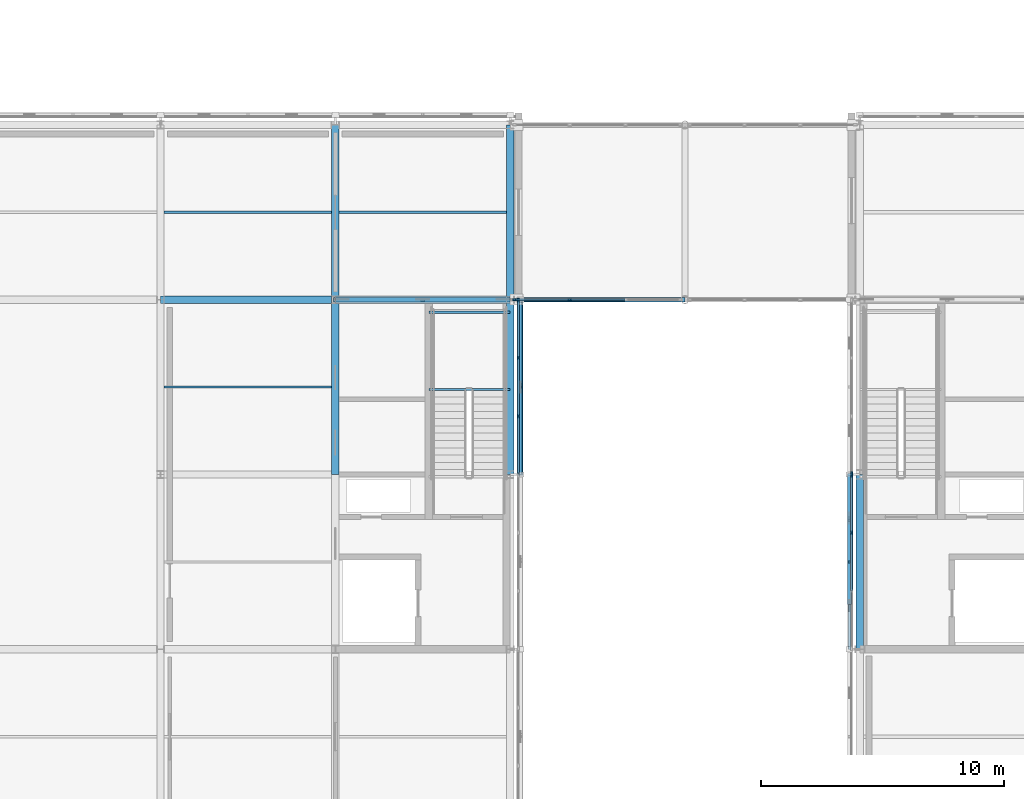
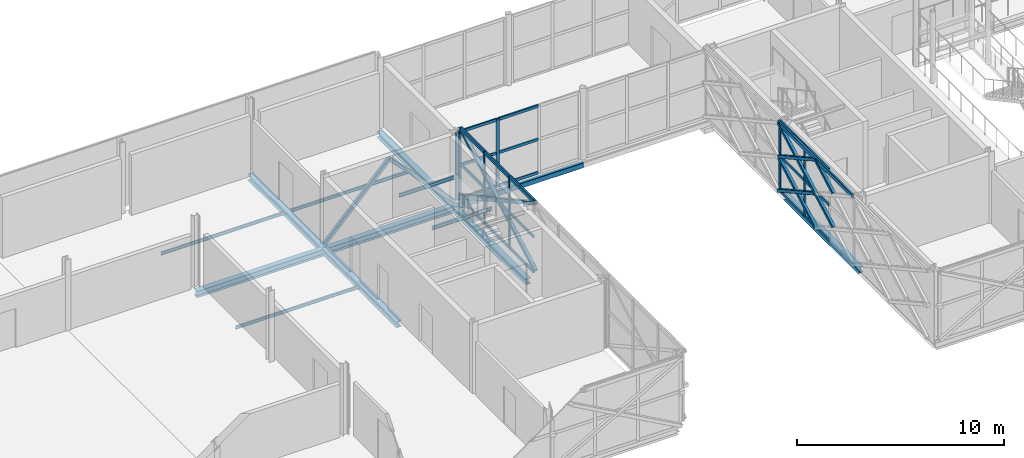
# One storey, part 30 of 146: 44 members, 13 beams, 4 elements without a shape of their own.
"""IFC4 building model written with IfcOpenShell, lengths in metres."""

from ifc_helpers import new_model, si_unit, direction, frame, origin, origin_2d, place, context, subcontext, project, spatial, rectangle, hollow_rectangle, i_section, extrude, material, material_profile, profile_set, type_object, element, aggregate, save


model = new_model("IFC4")

# Units and contexts
model_context = context("Model", 3, precision=1e-05, world=origin(), true_north=direction((0.0, 1.0)))
body_context = subcontext(model_context, "Body", "Model", "MODEL_VIEW")
ifc_project = project(units=[si_unit("LENGTHUNIT", "METRE"), si_unit("AREAUNIT", "SQUARE_METRE"), si_unit("VOLUMEUNIT", "CUBIC_METRE"), si_unit("PLANEANGLEUNIT", "RADIAN"), si_unit("MASSUNIT", "GRAM", prefix="KILO")], contexts=[model_context])

# Site, building, storey
site_placement = place(None, origin())
site = spatial("IfcSite", under=ifc_project, at=site_placement, CompositionType="ELEMENT")
building_placement = place(site_placement, origin())
building = spatial("IfcBuilding", under=site, at=building_placement, Name="Zlatovets Crest Museum", CompositionType="ELEMENT")
storey_placement = place(building_placement, frame((0.0, 0.0, 4.5)))
storey = spatial("IfcBuildingStorey", under=building, at=storey_placement, Name="L01", CompositionType="ELEMENT", Elevation=4.5)

# Beams
ifc_material_1 = material(Name="Structural steel S355J2", Category="steel")
ifc_material_profile_1 = material_profile(ifc_material_1, i_section(OverallWidth=0.300048828125, OverallDepth=0.389892578125, WebThickness=0.010986328125, FlangeThickness=0.01904296875, FilletRadius=0.027099609375, at=origin_2d()), Name="HEA 400")
ifc_profile_set_1 = profile_set([ifc_material_profile_1], Name="Structural steel S355J2")
beam_type_1 = type_object("IfcBeamType", Name="Beam_B-02", PredefinedType="BEAM", material=ifc_profile_set_1)
for number, where, z_axis, x_axis, name in (
    (1, (28.800048828125, 21.60009765625, -0.4150390625), (1.0, 0.0, 0.0), (0.0, 1.0, 0.0), "V3 L01 Primary Girder B-02"),
    (2, (36.0, 21.60009765625, -0.4150390625), (1.0, 0.0, 0.0), (0.0, 1.0, 0.0), "V3 L01 Primary Girder B-02"),
):
    element("IfcBeam", number, at=place(storey_placement, frame(where, z_axis=z_axis, x_axis=x_axis)), inside=storey, type_object=beam_type_1, Name=name, PredefinedType="BEAM", context=body_context, shape_type="SweptSolid", body=[
        extrude(i_section(OverallWidth=0.300048828125, OverallDepth=0.389892578125, WebThickness=0.010986328125, FlangeThickness=0.01904296875, FilletRadius=0.027099609375, at=origin_2d()), origin(), (0.0, 0.0, 1.0), 7.199951171875),
    ])
ifc_material_profile_2 = material_profile(ifc_material_1, i_section(OverallWidth=0.300048828125, OverallDepth=0.35009765625, WebThickness=0.010009765625, FlangeThickness=0.017578125, FilletRadius=0.027099609375, at=origin_2d()), Name="HEA 360")
ifc_profile_set_2 = profile_set([ifc_material_profile_2], Name="Structural steel S355J2")
beam_type_2 = type_object("IfcBeamType", Name="Beam_B-03", PredefinedType="BEAM", material=ifc_profile_set_2)
beam_1_placement = place(storey_placement, frame((57.60009765625, 7.199951171875, -0.39501953125), z_axis=(0.0, 1.0, 0.0), x_axis=(-1.0, 0.0, 0.0)))
element("IfcBeam", 3, at=beam_1_placement, inside=storey, type_object=beam_type_2, Name="V2 L01 Grid Beam B-03", PredefinedType="BEAM", context=body_context, shape_type="SweptSolid", body=[
    extrude(i_section(OverallWidth=0.300048828125, OverallDepth=0.35009765625, WebThickness=0.010009765625, FlangeThickness=0.017578125, FilletRadius=0.027099609375, at=origin_2d()), origin(), (0.0, 0.0, 1.0), 7.199951171875),
])
beam_2_placement = place(storey_placement, frame((36.0, 14.39990234375, -0.39501953125), z_axis=(0.0, 1.0, 0.0), x_axis=(-1.0, 0.0, 0.0)))
element("IfcBeam", 4, at=beam_2_placement, inside=storey, type_object=beam_type_2, Name="V3 L01 Grid Beam B-03", PredefinedType="BEAM", context=body_context, shape_type="SweptSolid", body=[
    extrude(i_section(OverallWidth=0.300048828125, OverallDepth=0.35009765625, WebThickness=0.010009765625, FlangeThickness=0.017578125, FilletRadius=0.027099609375, at=origin_2d()), origin(), (0.0, 0.0, 1.0), 7.2001953125),
])
beam_3_placement = place(storey_placement, frame((36.0, 21.60009765625, -0.39501953125), z_axis=(0.0, 1.0, 0.0), x_axis=(-1.0, 0.0, 0.0)))
element("IfcBeam", 5, at=beam_3_placement, inside=storey, type_object=beam_type_2, Name="V3 L01 Grid Beam B-03", PredefinedType="BEAM", context=body_context, shape_type="SweptSolid", body=[
    extrude(i_section(OverallWidth=0.300048828125, OverallDepth=0.35009765625, WebThickness=0.010009765625, FlangeThickness=0.017578125, FilletRadius=0.027099609375, at=origin_2d()), origin(), (0.0, 0.0, 1.0), 7.199951171875),
])
beam_4_placement = place(storey_placement, frame((43.199951171875, 14.39990234375, -0.39501953125), z_axis=(0.0, 1.0, 0.0), x_axis=(-1.0, 0.0, 0.0)))
element("IfcBeam", 6, at=beam_4_placement, inside=storey, type_object=beam_type_2, Name="V3 L01 Grid Beam B-03", PredefinedType="BEAM", context=body_context, shape_type="SweptSolid", body=[
    extrude(i_section(OverallWidth=0.300048828125, OverallDepth=0.35009765625, WebThickness=0.010009765625, FlangeThickness=0.017578125, FilletRadius=0.027099609375, at=origin_2d()), origin(), (0.0, 0.0, 1.0), 7.2001953125),
])
beam_5_placement = place(storey_placement, frame((43.199951171875, 21.60009765625, -0.39501953125), z_axis=(0.0, 1.0, 0.0), x_axis=(-1.0, 0.0, 0.0)))
element("IfcBeam", 7, at=beam_5_placement, inside=storey, type_object=beam_type_2, Name="V3 L01 Grid Beam B-03", PredefinedType="BEAM", context=body_context, shape_type="SweptSolid", body=[
    extrude(i_section(OverallWidth=0.300048828125, OverallDepth=0.35009765625, WebThickness=0.010009765625, FlangeThickness=0.017578125, FilletRadius=0.027099609375, at=origin_2d()), origin(), (0.0, 0.0, 1.0), 7.199951171875),
])
ifc_material_profile_3 = material_profile(ifc_material_1, hollow_rectangle(XDim=0.199951171875, YDim=0.300048828125, WallThickness=0.012451171875, InnerFilletRadius=0.012451171875, OuterFilletRadius=0.02490234375, at=origin_2d()), Name="RHS 200x300x12.5")
ifc_profile_set_3 = profile_set([ifc_material_profile_3], Name="Structural steel S355J2")
beam_type_3 = type_object("IfcBeamType", Name="Beam_BRG-01", PredefinedType="BEAM", material=ifc_profile_set_3)
beam_6_placement = place(storey_placement, frame((43.199951171875, 21.60009765625, -0.3701171875), z_axis=(1.0, 0.0, 0.0), x_axis=(0.0, 1.0, 0.0)))
element("IfcBeam", 8, at=beam_6_placement, inside=storey, type_object=beam_type_3, Name="South Forecourt Glazed Link Bridge L01 Stringer Beam", PredefinedType="BEAM", context=body_context, shape_type="SweptSolid", body=[
    extrude(hollow_rectangle(XDim=0.199951171875, YDim=0.300048828125, WallThickness=0.012451171875, InnerFilletRadius=0.012451171875, OuterFilletRadius=0.02490234375, at=origin_2d()), origin(), (0.0, 0.0, 1.0), 7.199951171875),
])
ifc_material_profile_4 = material_profile(ifc_material_1, i_section(OverallWidth=0.091064453125, OverallDepth=0.179931640625, WebThickness=0.00537109375, FlangeThickness=0.008056640625, FilletRadius=0.009033203125, at=origin_2d()), Name="IPE 180")
ifc_profile_set_4 = profile_set([ifc_material_profile_4], Name="Structural steel S355J2")
beam_type_4 = type_object("IfcBeamType", Name="Beam_J-11", PredefinedType="JOIST", material=ifc_profile_set_4)
for number, where, z_axis, x_axis, name in (
    (9, (28.949951171875, 18.0, -0.31005859375), (1.0, 0.0, 0.0), (0.0, 1.0, 0.0), "V3 L01 Composite Joist J-11"),
    (10, (28.949951171875, 25.199951171875, -0.31005859375), (1.0, 0.0, 0.0), (0.0, 1.0, 0.0), "V3 L01 Composite Joist J-11"),
    (11, (36.14990234375, 25.199951171875, -0.31005859375), (1.0, 0.0, 0.0), (0.0, 1.0, 0.0), "V3 L01 Composite Joist J-11"),
):
    element("IfcBeam", number, at=place(storey_placement, frame(where, z_axis=z_axis, x_axis=x_axis)), inside=storey, type_object=beam_type_4, Name=name, PredefinedType="JOIST", context=body_context, shape_type="SweptSolid", body=[
        extrude(i_section(OverallWidth=0.091064453125, OverallDepth=0.179931640625, WebThickness=0.00537109375, FlangeThickness=0.008056640625, FilletRadius=0.009033203125, at=origin_2d()), origin(), (0.0, 0.0, 1.0), 6.900146484375),
    ])
ifc_material_profile_5 = material_profile(ifc_material_1, i_section(OverallWidth=0.10009765625, OverallDepth=0.199951171875, WebThickness=0.005615234375, FlangeThickness=0.008544921875, FilletRadius=0.011962890625, at=origin_2d()), Name="IPE 200")
ifc_profile_set_5 = profile_set([ifc_material_profile_5], Name="Structural steel S355J2")
beam_type_5 = type_object("IfcBeamType", Name="Beam_PR-02", PredefinedType="LINTEL", material=ifc_profile_set_5)
for number, where, z_axis, x_axis, name in (
    (12, (39.85009765625, 17.89990234375, 1.800048828125), (1.0, 0.0, 0.0), (0.0, 1.0, 0.0), "Core C3 L01 Half-Landing Support Beam"),
    (13, (39.85009765625, 21.080078125, 1.800048828125), (1.0, 0.0, 0.0), (0.0, 1.0, 0.0), "Core C3 L01 Half-Landing Support Beam"),
):
    element("IfcBeam", number, at=place(storey_placement, frame(where, z_axis=z_axis, x_axis=x_axis)), inside=storey, type_object=beam_type_5, Name=name, PredefinedType="LINTEL", context=body_context, shape_type="SweptSolid", body=[
        extrude(i_section(OverallWidth=0.10009765625, OverallDepth=0.199951171875, WebThickness=0.005615234375, FlangeThickness=0.008544921875, FilletRadius=0.011962890625, at=origin_2d()), origin(), (0.0, 0.0, 1.0), 3.349853515625),
    ])

# Curtain wall, member
ifc_material_2 = material(Name="Bronze-anodised aluminium and low-E triple glass", Category="aluminium")
curtain_wall_type_1 = type_object("IfcCurtainWallType", Name="CW_CW-V2-L01-M3", PredefinedType="NOTDEFINED", material=ifc_material_2)
curtain_wall_1_placement = place(storey_placement, origin())
curtain_wall_1 = element("IfcCurtainWall", 14, at=curtain_wall_1_placement, inside=storey, type_object=curtain_wall_type_1, Name="V2 L01 Expressed Core Glazed Facade", PredefinedType="NOTDEFINED")
ifc_material_3 = material(Name="Bronze-anodised aluminium EN AW-6060", Category="aluminium")
ifc_material_profile_6 = material_profile(ifc_material_3, rectangle(XDim=0.080078125, YDim=0.159912109375, at=origin_2d()), Name="ALU 80x160")
ifc_profile_set_6 = profile_set([ifc_material_profile_6], Name="Bronze-anodised aluminium EN AW-6060")
member_type_1 = type_object("IfcMemberType", Name="CWMull_M1", PredefinedType="MULLION", material=ifc_profile_set_6)
member_1_placement = place(storey_placement, frame((57.260009765625, 14.429931640625, 0.0), z_axis=(0.0, 0.0, 1.0), x_axis=(1.0, 0.0, 0.0)))
member_1 = element("IfcMember", 15, at=member_1_placement, type_object=member_type_1, Name="CW-V2-L01-M3 mullion 4", PredefinedType="MULLION", context=body_context, shape_type="SweptSolid", body=[
    extrude(rectangle(XDim=0.080078125, YDim=0.159912109375, at=origin_2d()), origin(), (0.0, 0.0, 1.0), 4.199951171875),
])
aggregate(curtain_wall_1, [member_1])

# Curtain wall, members
curtain_wall_type_2 = type_object("IfcCurtainWallType", Name="CW_CW-V2-L01-M0", PredefinedType="NOTDEFINED", material=ifc_material_2)
curtain_wall_2_placement = place(storey_placement, origin())
curtain_wall_2 = element("IfcCurtainWall", 16, at=curtain_wall_2_placement, inside=storey, type_object=curtain_wall_type_2, Name="V2 L01 Expressed Core Glazed Facade", PredefinedType="NOTDEFINED")
member_2_placement = place(storey_placement, frame((57.260009765625, 14.3701171875, 0.0), z_axis=(0.0, 0.0, 1.0), x_axis=(1.0, 0.0, 0.0)))
member_2 = element("IfcMember", 17, at=member_2_placement, type_object=member_type_1, Name="CW-V2-L01-M0 mullion 1", PredefinedType="MULLION", context=body_context, shape_type="SweptSolid", body=[
    extrude(rectangle(XDim=0.080078125, YDim=0.159912109375, at=origin_2d()), origin(), (0.0, 0.0, 1.0), 4.199951171875),
])
member_3_placement = place(storey_placement, frame((57.260009765625, 12.0, 0.0), z_axis=(0.0, 0.0, 1.0), x_axis=(1.0, 0.0, 0.0)))
member_3 = element("IfcMember", 18, at=member_3_placement, type_object=member_type_1, Name="CW-V2-L01-M0 mullion 2", PredefinedType="MULLION", context=body_context, shape_type="SweptSolid", body=[
    extrude(rectangle(XDim=0.080078125, YDim=0.159912109375, at=origin_2d()), origin(), (0.0, 0.0, 1.0), 4.199951171875),
])

curtain_wall_type_3 = type_object("IfcCurtainWallType", Name="CW_CW-V3-L01-M0", PredefinedType="NOTDEFINED", material=ifc_material_2)
curtain_wall_3_placement = place(storey_placement, origin())
curtain_wall_3 = element("IfcCurtainWall", 19, at=curtain_wall_3_placement, inside=storey, type_object=curtain_wall_type_3, Name="V3 L01 Expressed Core Glazed Facade", PredefinedType="NOTDEFINED")
member_4_placement = place(storey_placement, frame((43.5400390625, 16.800048828125, 0.0), z_axis=(0.0, 0.0, 1.0), x_axis=(-1.0, 0.0, 0.0)))
member_4 = element("IfcMember", 20, at=member_4_placement, type_object=member_type_1, Name="CW-V3-L01-M0 mullion 2", PredefinedType="MULLION", context=body_context, shape_type="SweptSolid", body=[
    extrude(rectangle(XDim=0.080078125, YDim=0.159912109375, at=origin_2d()), origin(), (0.0, 0.0, 1.0), 4.199951171875),
])
member_5_placement = place(storey_placement, frame((43.5400390625, 19.199951171875, 0.0), z_axis=(0.0, 0.0, 1.0), x_axis=(-1.0, 0.0, 0.0)))
member_5 = element("IfcMember", 21, at=member_5_placement, type_object=member_type_1, Name="CW-V3-L01-M0 mullion 3", PredefinedType="MULLION", context=body_context, shape_type="SweptSolid", body=[
    extrude(rectangle(XDim=0.080078125, YDim=0.159912109375, at=origin_2d()), origin(), (0.0, 0.0, 1.0), 4.199951171875),
])
member_6_placement = place(storey_placement, frame((43.5400390625, 21.570068359375, 0.0), z_axis=(0.0, 0.0, 1.0), x_axis=(-1.0, 0.0, 0.0)))
member_6 = element("IfcMember", 22, at=member_6_placement, type_object=member_type_1, Name="CW-V3-L01-M0 mullion 4", PredefinedType="MULLION", context=body_context, shape_type="SweptSolid", body=[
    extrude(rectangle(XDim=0.080078125, YDim=0.159912109375, at=origin_2d()), origin(), (0.0, 0.0, 1.0), 4.199951171875),
])

curtain_wall_type_4 = type_object("IfcCurtainWallType", Name="CW_CW-BR1-L01-S69", PredefinedType="NOTDEFINED", material=ifc_material_2)
curtain_wall_4_placement = place(storey_placement, origin())
curtain_wall_4 = element("IfcCurtainWall", 23, at=curtain_wall_4_placement, inside=storey, type_object=curtain_wall_type_4, Name="South Forecourt Glazed Link Bridge L01 Glazed Bridge Curtain Wall", PredefinedType="NOTDEFINED")
member_7_placement = place(storey_placement, frame((43.3798828125, 21.60009765625, 0.0), z_axis=(0.0, 0.0, 1.0), x_axis=(0.0, 1.0, 0.0)))
member_7 = element("IfcMember", 24, at=member_7_placement, type_object=member_type_1, Name="CW-BR1-L01-S69 mullion 1", PredefinedType="MULLION", context=body_context, shape_type="SweptSolid", body=[
    extrude(rectangle(XDim=0.080078125, YDim=0.159912109375, at=origin_2d()), origin(), (0.0, 0.0, 1.0), 3.97998046875),
])
member_8_placement = place(storey_placement, frame((45.64990234375, 21.60009765625, 0.0), z_axis=(0.0, 0.0, 1.0), x_axis=(0.0, 1.0, 0.0)))
member_8 = element("IfcMember", 25, at=member_8_placement, type_object=member_type_1, Name="CW-BR1-L01-S69 mullion 2", PredefinedType="MULLION", context=body_context, shape_type="SweptSolid", body=[
    extrude(rectangle(XDim=0.080078125, YDim=0.159912109375, at=origin_2d()), origin(), (0.0, 0.0, 1.0), 3.97998046875),
])

# Member
ifc_material_profile_7 = material_profile(ifc_material_3, rectangle(XDim=0.080078125, YDim=0.159912109375, at=origin_2d()), Name="ALU 80x160")
ifc_profile_set_7 = profile_set([ifc_material_profile_7], Name="Bronze-anodised aluminium EN AW-6060")
member_type_2 = type_object("IfcMemberType", Name="CWTrans_T1", PredefinedType="USERDEFINED", material=ifc_profile_set_7)
member_9_placement = place(storey_placement, frame((57.260009765625, 14.340087890625, 0.030029296875), z_axis=(0.0, -1.0, 0.0), x_axis=(1.0, 0.0, 0.0)))
member_9 = element("IfcMember", 26, at=member_9_placement, type_object=member_type_2, Name="CW-V2-L01-M0 transom 1.1", ObjectType="TRANSOM", PredefinedType="USERDEFINED", context=body_context, shape_type="SweptSolid", body=[
    extrude(rectangle(XDim=0.080078125, YDim=0.159912109375, at=origin_2d()), origin(), (0.0, 0.0, 1.0), 2.31005859375),
])

member_10_placement = place(storey_placement, frame((57.260009765625, 14.340087890625, 2.10009765625), z_axis=(0.0, -1.0, 0.0), x_axis=(1.0, 0.0, 0.0)))
member_10 = element("IfcMember", 27, at=member_10_placement, type_object=member_type_2, Name="CW-V2-L01-M0 transom 1.2", ObjectType="TRANSOM", PredefinedType="USERDEFINED", context=body_context, shape_type="SweptSolid", body=[
    extrude(rectangle(XDim=0.080078125, YDim=0.159912109375, at=origin_2d()), origin(), (0.0, 0.0, 1.0), 2.31005859375),
])

member_11_placement = place(storey_placement, frame((57.260009765625, 14.340087890625, 4.169921875), z_axis=(0.0, -1.0, 0.0), x_axis=(1.0, 0.0, 0.0)))
member_11 = element("IfcMember", 28, at=member_11_placement, type_object=member_type_2, Name="CW-V2-L01-M0 transom 1.3", ObjectType="TRANSOM", PredefinedType="USERDEFINED", context=body_context, shape_type="SweptSolid", body=[
    extrude(rectangle(XDim=0.080078125, YDim=0.159912109375, at=origin_2d()), origin(), (0.0, 0.0, 1.0), 2.31005859375),
])

member_12_placement = place(storey_placement, frame((57.260009765625, 11.969970703125, 0.030029296875), z_axis=(0.0, -1.0, 0.0), x_axis=(1.0, 0.0, 0.0)))
member_12 = element("IfcMember", 29, at=member_12_placement, type_object=member_type_2, Name="CW-V2-L01-M0 transom 2.1", ObjectType="TRANSOM", PredefinedType="USERDEFINED", context=body_context, shape_type="SweptSolid", body=[
    extrude(rectangle(XDim=0.080078125, YDim=0.159912109375, at=origin_2d()), origin(), (0.0, 0.0, 1.0), 2.340087890625),
])

member_13_placement = place(storey_placement, frame((57.260009765625, 11.969970703125, 2.10009765625), z_axis=(0.0, -1.0, 0.0), x_axis=(1.0, 0.0, 0.0)))
member_13 = element("IfcMember", 30, at=member_13_placement, type_object=member_type_2, Name="CW-V2-L01-M0 transom 2.2", ObjectType="TRANSOM", PredefinedType="USERDEFINED", context=body_context, shape_type="SweptSolid", body=[
    extrude(rectangle(XDim=0.080078125, YDim=0.159912109375, at=origin_2d()), origin(), (0.0, 0.0, 1.0), 2.340087890625),
])

member_14_placement = place(storey_placement, frame((57.260009765625, 11.969970703125, 4.169921875), z_axis=(0.0, -1.0, 0.0), x_axis=(1.0, 0.0, 0.0)))
member_14 = element("IfcMember", 31, at=member_14_placement, type_object=member_type_2, Name="CW-V2-L01-M0 transom 2.3", ObjectType="TRANSOM", PredefinedType="USERDEFINED", context=body_context, shape_type="SweptSolid", body=[
    extrude(rectangle(XDim=0.080078125, YDim=0.159912109375, at=origin_2d()), origin(), (0.0, 0.0, 1.0), 2.340087890625),
])

aggregate(curtain_wall_2, [member_2, member_3, member_9, member_10, member_11, member_12, member_13, member_14])

member_15_placement = place(storey_placement, frame((43.5400390625, 14.4599609375, 0.030029296875), z_axis=(0.0, 1.0, 0.0), x_axis=(-1.0, 0.0, 0.0)))
member_15 = element("IfcMember", 32, at=member_15_placement, type_object=member_type_2, Name="CW-V3-L01-M0 transom 1.1", ObjectType="TRANSOM", PredefinedType="USERDEFINED", context=body_context, shape_type="SweptSolid", body=[
    extrude(rectangle(XDim=0.080078125, YDim=0.159912109375, at=origin_2d()), origin(), (0.0, 0.0, 1.0), 2.31005859375),
])

member_16_placement = place(storey_placement, frame((43.5400390625, 14.4599609375, 2.10009765625), z_axis=(0.0, 1.0, 0.0), x_axis=(-1.0, 0.0, 0.0)))
member_16 = element("IfcMember", 33, at=member_16_placement, type_object=member_type_2, Name="CW-V3-L01-M0 transom 1.2", ObjectType="TRANSOM", PredefinedType="USERDEFINED", context=body_context, shape_type="SweptSolid", body=[
    extrude(rectangle(XDim=0.080078125, YDim=0.159912109375, at=origin_2d()), origin(), (0.0, 0.0, 1.0), 2.31005859375),
])

member_17_placement = place(storey_placement, frame((43.5400390625, 14.4599609375, 4.169921875), z_axis=(0.0, 1.0, 0.0), x_axis=(-1.0, 0.0, 0.0)))
member_17 = element("IfcMember", 34, at=member_17_placement, type_object=member_type_2, Name="CW-V3-L01-M0 transom 1.3", ObjectType="TRANSOM", PredefinedType="USERDEFINED", context=body_context, shape_type="SweptSolid", body=[
    extrude(rectangle(XDim=0.080078125, YDim=0.159912109375, at=origin_2d()), origin(), (0.0, 0.0, 1.0), 2.31005859375),
])

member_18_placement = place(storey_placement, frame((43.5400390625, 16.830078125, 0.030029296875), z_axis=(0.0, 1.0, 0.0), x_axis=(-1.0, 0.0, 0.0)))
member_18 = element("IfcMember", 35, at=member_18_placement, type_object=member_type_2, Name="CW-V3-L01-M0 transom 2.1", ObjectType="TRANSOM", PredefinedType="USERDEFINED", context=body_context, shape_type="SweptSolid", body=[
    extrude(rectangle(XDim=0.080078125, YDim=0.159912109375, at=origin_2d()), origin(), (0.0, 0.0, 1.0), 2.33984375),
])

member_19_placement = place(storey_placement, frame((43.5400390625, 16.830078125, 2.10009765625), z_axis=(0.0, 1.0, 0.0), x_axis=(-1.0, 0.0, 0.0)))
member_19 = element("IfcMember", 36, at=member_19_placement, type_object=member_type_2, Name="CW-V3-L01-M0 transom 2.2", ObjectType="TRANSOM", PredefinedType="USERDEFINED", context=body_context, shape_type="SweptSolid", body=[
    extrude(rectangle(XDim=0.080078125, YDim=0.159912109375, at=origin_2d()), origin(), (0.0, 0.0, 1.0), 2.33984375),
])

member_20_placement = place(storey_placement, frame((43.5400390625, 16.830078125, 4.169921875), z_axis=(0.0, 1.0, 0.0), x_axis=(-1.0, 0.0, 0.0)))
member_20 = element("IfcMember", 37, at=member_20_placement, type_object=member_type_2, Name="CW-V3-L01-M0 transom 2.3", ObjectType="TRANSOM", PredefinedType="USERDEFINED", context=body_context, shape_type="SweptSolid", body=[
    extrude(rectangle(XDim=0.080078125, YDim=0.159912109375, at=origin_2d()), origin(), (0.0, 0.0, 1.0), 2.33984375),
])

member_21_placement = place(storey_placement, frame((43.5400390625, 19.22998046875, 0.030029296875), z_axis=(0.0, 1.0, 0.0), x_axis=(-1.0, 0.0, 0.0)))
member_21 = element("IfcMember", 38, at=member_21_placement, type_object=member_type_2, Name="CW-V3-L01-M0 transom 3.1", ObjectType="TRANSOM", PredefinedType="USERDEFINED", context=body_context, shape_type="SweptSolid", body=[
    extrude(rectangle(XDim=0.080078125, YDim=0.159912109375, at=origin_2d()), origin(), (0.0, 0.0, 1.0), 2.31005859375),
])

member_22_placement = place(storey_placement, frame((43.5400390625, 19.22998046875, 2.10009765625), z_axis=(0.0, 1.0, 0.0), x_axis=(-1.0, 0.0, 0.0)))
member_22 = element("IfcMember", 39, at=member_22_placement, type_object=member_type_2, Name="CW-V3-L01-M0 transom 3.2", ObjectType="TRANSOM", PredefinedType="USERDEFINED", context=body_context, shape_type="SweptSolid", body=[
    extrude(rectangle(XDim=0.080078125, YDim=0.159912109375, at=origin_2d()), origin(), (0.0, 0.0, 1.0), 2.31005859375),
])

member_23_placement = place(storey_placement, frame((43.5400390625, 19.22998046875, 4.169921875), z_axis=(0.0, 1.0, 0.0), x_axis=(-1.0, 0.0, 0.0)))
member_23 = element("IfcMember", 40, at=member_23_placement, type_object=member_type_2, Name="CW-V3-L01-M0 transom 3.3", ObjectType="TRANSOM", PredefinedType="USERDEFINED", context=body_context, shape_type="SweptSolid", body=[
    extrude(rectangle(XDim=0.080078125, YDim=0.159912109375, at=origin_2d()), origin(), (0.0, 0.0, 1.0), 2.31005859375),
])

aggregate(curtain_wall_3, [member_4, member_5, member_6, member_15, member_16, member_17, member_18, member_19, member_20, member_21, member_22, member_23])

member_24_placement = place(storey_placement, frame((43.409912109375, 21.60009765625, 0.030029296875), z_axis=(1.0, 0.0, 0.0), x_axis=(0.0, 1.0, 0.0)))
member_24 = element("IfcMember", 41, at=member_24_placement, type_object=member_type_2, Name="CW-BR1-L01-S69 transom 1.1", ObjectType="TRANSOM", PredefinedType="USERDEFINED", context=body_context, shape_type="SweptSolid", body=[
    extrude(rectangle(XDim=0.080078125, YDim=0.159912109375, at=origin_2d()), origin(), (0.0, 0.0, 1.0), 2.210205078125),
])

member_25_placement = place(storey_placement, frame((43.409912109375, 21.60009765625, 1.989990234375), z_axis=(1.0, 0.0, 0.0), x_axis=(0.0, 1.0, 0.0)))
member_25 = element("IfcMember", 42, at=member_25_placement, type_object=member_type_2, Name="CW-BR1-L01-S69 transom 1.2", ObjectType="TRANSOM", PredefinedType="USERDEFINED", context=body_context, shape_type="SweptSolid", body=[
    extrude(rectangle(XDim=0.080078125, YDim=0.159912109375, at=origin_2d()), origin(), (0.0, 0.0, 1.0), 2.210205078125),
])

member_26_placement = place(storey_placement, frame((43.409912109375, 21.60009765625, 3.949951171875), z_axis=(1.0, 0.0, 0.0), x_axis=(0.0, 1.0, 0.0)))
member_26 = element("IfcMember", 43, at=member_26_placement, type_object=member_type_2, Name="CW-BR1-L01-S69 transom 1.3", ObjectType="TRANSOM", PredefinedType="USERDEFINED", context=body_context, shape_type="SweptSolid", body=[
    extrude(rectangle(XDim=0.080078125, YDim=0.159912109375, at=origin_2d()), origin(), (0.0, 0.0, 1.0), 2.210205078125),
])

member_27_placement = place(storey_placement, frame((45.679931640625, 21.60009765625, 0.030029296875), z_axis=(1.0, 0.0, 0.0), x_axis=(0.0, 1.0, 0.0)))
member_27 = element("IfcMember", 44, at=member_27_placement, type_object=member_type_2, Name="CW-BR1-L01-S69 transom 2.1", ObjectType="TRANSOM", PredefinedType="USERDEFINED", context=body_context, shape_type="SweptSolid", body=[
    extrude(rectangle(XDim=0.080078125, YDim=0.159912109375, at=origin_2d()), origin(), (0.0, 0.0, 1.0), 2.239990234375),
])

member_28_placement = place(storey_placement, frame((45.679931640625, 21.60009765625, 1.989990234375), z_axis=(1.0, 0.0, 0.0), x_axis=(0.0, 1.0, 0.0)))
member_28 = element("IfcMember", 45, at=member_28_placement, type_object=member_type_2, Name="CW-BR1-L01-S69 transom 2.2", ObjectType="TRANSOM", PredefinedType="USERDEFINED", context=body_context, shape_type="SweptSolid", body=[
    extrude(rectangle(XDim=0.080078125, YDim=0.159912109375, at=origin_2d()), origin(), (0.0, 0.0, 1.0), 2.239990234375),
])

member_29_placement = place(storey_placement, frame((45.679931640625, 21.60009765625, 3.949951171875), z_axis=(1.0, 0.0, 0.0), x_axis=(0.0, 1.0, 0.0)))
member_29 = element("IfcMember", 46, at=member_29_placement, type_object=member_type_2, Name="CW-BR1-L01-S69 transom 2.3", ObjectType="TRANSOM", PredefinedType="USERDEFINED", context=body_context, shape_type="SweptSolid", body=[
    extrude(rectangle(XDim=0.080078125, YDim=0.159912109375, at=origin_2d()), origin(), (0.0, 0.0, 1.0), 2.239990234375),
])

aggregate(curtain_wall_4, [member_7, member_8, member_24, member_25, member_26, member_27, member_28, member_29])

# Members
ifc_material_4 = material(Name="Weathering bronze-steel S355J2W", Category="steel")
ifc_material_profile_8 = material_profile(ifc_material_4, hollow_rectangle(XDim=0.179931640625, YDim=0.179931640625, WallThickness=0.010009765625, InnerFilletRadius=0.010009765625, OuterFilletRadius=0.02001953125, at=origin_2d()), Name="SHS 180x180x10.0")
ifc_profile_set_8 = profile_set([ifc_material_profile_8], Name="Weathering bronze-steel S355J2W")
member_type_3 = type_object("IfcMemberType", Name="Lattice_XL-01", PredefinedType="BRACE", material=ifc_profile_set_8)
member_30_placement = place(storey_placement, frame((57.179931640625, 14.39990234375, 0.10009765625), z_axis=(0.0, -0.874148886685, 0.485658031857), x_axis=(1.0, 0.0, 0.0)))
element("IfcMember", 47, at=member_30_placement, inside=storey, type_object=member_type_3, Name="Continuous Bronze Lattice Diagonal", PredefinedType="BRACE", context=body_context, shape_type="SweptSolid", body=[
    extrude(hollow_rectangle(XDim=0.179931640625, YDim=0.179931640625, WallThickness=0.010009765625, InnerFilletRadius=0.010009765625, OuterFilletRadius=0.02001953125, at=origin_2d()), origin(), (0.0, 0.0, 1.0), 4.1181640625),
])
for number, where, z_axis, x_axis, name in (
    (48, (57.179931640625, 14.39990234375, 2.10009765625), (0.0, -0.874086907708, -0.485769572713), (1.0, 0.0, 0.0), "Split Crossing Bronze Lattice Diagonal Upper"),
    (49, (57.179931640625, 12.51708984375, 1.053955078125), (0.0, -0.874169001841, -0.485621824284), (1.0, 0.0, 0.0), "Split Crossing Bronze Lattice Diagonal Lower"),
):
    element("IfcMember", number, at=place(storey_placement, frame(where, z_axis=z_axis, x_axis=x_axis)), inside=storey, type_object=member_type_3, Name=name, PredefinedType="BRACE", context=body_context, shape_type="SweptSolid", body=[
        extrude(hollow_rectangle(XDim=0.179931640625, YDim=0.179931640625, WallThickness=0.010009765625, InnerFilletRadius=0.010009765625, OuterFilletRadius=0.02001953125, at=origin_2d()), origin(), (0.0, 0.0, 1.0), 1.964111328125),
    ])
member_31_placement = place(storey_placement, frame((57.179931640625, 10.800048828125, 2.10009765625), z_axis=(0.0, -0.874116234569, -0.48571679862), x_axis=(1.0, 0.0, 0.0)))
element("IfcMember", 50, at=member_31_placement, inside=storey, type_object=member_type_3, Name="Split Crossing Bronze Lattice Diagonal Upper", PredefinedType="BRACE", context=body_context, shape_type="SweptSolid", body=[
    extrude(hollow_rectangle(XDim=0.179931640625, YDim=0.179931640625, WallThickness=0.010009765625, InnerFilletRadius=0.010009765625, OuterFilletRadius=0.02001953125, at=origin_2d()), origin(), (0.0, 0.0, 1.0), 1.96435546875),
])
member_32_placement = place(storey_placement, frame((57.179931640625, 14.39990234375, 2.10009765625), z_axis=(0.0, -0.874148886685, 0.485658031857), x_axis=(1.0, 0.0, 0.0)))
element("IfcMember", 51, at=member_32_placement, inside=storey, type_object=member_type_3, Name="Continuous Bronze Lattice Diagonal", PredefinedType="BRACE", context=body_context, shape_type="SweptSolid", body=[
    extrude(hollow_rectangle(XDim=0.179931640625, YDim=0.179931640625, WallThickness=0.010009765625, InnerFilletRadius=0.010009765625, OuterFilletRadius=0.02001953125, at=origin_2d()), origin(), (0.0, 0.0, 1.0), 4.1181640625),
])
for number, where, z_axis, x_axis, name in (
    (52, (57.179931640625, 14.39990234375, 4.10009765625), (0.0, -0.874086907708, -0.485769572713), (1.0, 0.0, 0.0), "Split Crossing Bronze Lattice Diagonal Upper"),
    (53, (57.179931640625, 12.51708984375, 3.053955078125), (0.0, -0.874169001841, -0.485621824284), (1.0, 0.0, 0.0), "Split Crossing Bronze Lattice Diagonal Lower"),
):
    element("IfcMember", number, at=place(storey_placement, frame(where, z_axis=z_axis, x_axis=x_axis)), inside=storey, type_object=member_type_3, Name=name, PredefinedType="BRACE", context=body_context, shape_type="SweptSolid", body=[
        extrude(hollow_rectangle(XDim=0.179931640625, YDim=0.179931640625, WallThickness=0.010009765625, InnerFilletRadius=0.010009765625, OuterFilletRadius=0.02001953125, at=origin_2d()), origin(), (0.0, 0.0, 1.0), 1.964111328125),
    ])
member_33_placement = place(storey_placement, frame((57.179931640625, 10.800048828125, 4.10009765625), z_axis=(0.0, -0.874116234569, -0.48571679862), x_axis=(1.0, 0.0, 0.0)))
element("IfcMember", 54, at=member_33_placement, inside=storey, type_object=member_type_3, Name="Split Crossing Bronze Lattice Diagonal Upper", PredefinedType="BRACE", context=body_context, shape_type="SweptSolid", body=[
    extrude(hollow_rectangle(XDim=0.179931640625, YDim=0.179931640625, WallThickness=0.010009765625, InnerFilletRadius=0.010009765625, OuterFilletRadius=0.02001953125, at=origin_2d()), origin(), (0.0, 0.0, 1.0), 1.96435546875),
])
ifc_material_profile_9 = material_profile(ifc_material_4, hollow_rectangle(XDim=0.199951171875, YDim=0.199951171875, WallThickness=0.012451171875, InnerFilletRadius=0.012451171875, OuterFilletRadius=0.02490234375, at=origin_2d()), Name="SHS 200x200x12.5")
ifc_profile_set_9 = profile_set([ifc_material_profile_9], Name="Weathering bronze-steel S355J2W")
member_type_4 = type_object("IfcMemberType", Name="Lattice_XL-02", PredefinedType="BRACE", material=ifc_profile_set_9)
member_34_placement = place(storey_placement, frame((43.6201171875, 14.39990234375, 0.10009765625), z_axis=(0.0, 0.874162868644, 0.485632864501), x_axis=(-1.0, 0.0, 0.0)))
element("IfcMember", 55, at=member_34_placement, inside=storey, type_object=member_type_4, Name="Continuous Bronze Lattice Diagonal", PredefinedType="BRACE", context=body_context, shape_type="SweptSolid", body=[
    extrude(hollow_rectangle(XDim=0.199951171875, YDim=0.199951171875, WallThickness=0.012451171875, InnerFilletRadius=0.012451171875, OuterFilletRadius=0.02490234375, at=origin_2d()), origin(), (0.0, 0.0, 1.0), 8.236572265625),
])
for number, where, z_axis, x_axis, name in (
    (56, (43.6201171875, 14.39990234375, 4.10009765625), (0.0, 0.874140102304, -0.485673842763), (-1.0, 0.0, 0.0), "Split Crossing Bronze Lattice Diagonal Upper"),
    (57, (43.6201171875, 18.0830078125, 2.053955078125), (0.0, 0.874165862873, -0.485627474703), (-1.0, 0.0, 0.0), "Split Crossing Bronze Lattice Diagonal Lower"),
):
    element("IfcMember", number, at=place(storey_placement, frame(where, z_axis=z_axis, x_axis=x_axis)), inside=storey, type_object=member_type_4, Name=name, PredefinedType="BRACE", context=body_context, shape_type="SweptSolid", body=[
        extrude(hollow_rectangle(XDim=0.199951171875, YDim=0.199951171875, WallThickness=0.012451171875, InnerFilletRadius=0.012451171875, OuterFilletRadius=0.02490234375, at=origin_2d()), origin(), (0.0, 0.0, 1.0), 4.0234375),
    ])
ifc_material_profile_10 = material_profile(ifc_material_4, hollow_rectangle(XDim=0.1201171875, YDim=0.239990234375, WallThickness=0.010009765625, InnerFilletRadius=0.010009765625, OuterFilletRadius=0.02001953125, at=origin_2d()), Name="RHS 120x240x10.0")
ifc_profile_set_10 = profile_set([ifc_material_profile_10], Name="Weathering bronze-steel S355J2W")
member_type_5 = type_object("IfcMemberType", Name="Lattice_XL-04", PredefinedType="CHORD", material=ifc_profile_set_10)
member_35_placement = place(storey_placement, frame((57.179931640625, 14.39990234375, 4.10009765625), z_axis=(0.0, -1.0, 0.0), x_axis=(1.0, 0.0, 0.0)))
element("IfcMember", 58, at=member_35_placement, inside=storey, type_object=member_type_5, Name="Art Nouveau Woven Cage Collector Ring Chord", PredefinedType="CHORD", context=body_context, shape_type="SweptSolid", body=[
    extrude(hollow_rectangle(XDim=0.1201171875, YDim=0.239990234375, WallThickness=0.010009765625, InnerFilletRadius=0.010009765625, OuterFilletRadius=0.02001953125, at=origin_2d()), origin(), (0.0, 0.0, 1.0), 7.199951171875),
])
member_36_placement = place(storey_placement, frame((43.6201171875, 14.39990234375, 4.10009765625), z_axis=(0.0, 1.0, 0.0), x_axis=(-1.0, 0.0, 0.0)))
element("IfcMember", 59, at=member_36_placement, inside=storey, type_object=member_type_5, Name="Art Nouveau Woven Cage Collector Ring Chord", PredefinedType="CHORD", context=body_context, shape_type="SweptSolid", body=[
    extrude(hollow_rectangle(XDim=0.1201171875, YDim=0.239990234375, WallThickness=0.010009765625, InnerFilletRadius=0.010009765625, OuterFilletRadius=0.02001953125, at=origin_2d()), origin(), (0.0, 0.0, 1.0), 7.2001953125),
])
ifc_material_profile_11 = material_profile(ifc_material_1, hollow_rectangle(XDim=0.199951171875, YDim=0.199951171875, WallThickness=0.012451171875, InnerFilletRadius=0.012451171875, OuterFilletRadius=0.02490234375, at=origin_2d()), Name="SHS 200x200x12.5")
ifc_profile_set_11 = profile_set([ifc_material_profile_11], Name="Structural steel S355J2")
member_type_6 = type_object("IfcMemberType", Name="Member_BR-01", PredefinedType="BRACE", material=ifc_profile_set_11)
member_37_placement = place(storey_placement, frame((36.0, 21.60009765625, 0.0), z_axis=(0.692541604294, 0.0, 0.721377935844), x_axis=(0.0, 1.0, 0.0)))
element("IfcMember", 60, at=member_37_placement, inside=storey, type_object=member_type_6, Name="V3 L01 Concentric Seismic Brace", PredefinedType="BRACE", context=body_context, shape_type="SweptSolid", body=[
    extrude(hollow_rectangle(XDim=0.199951171875, YDim=0.199951171875, WallThickness=0.012451171875, InnerFilletRadius=0.012451171875, OuterFilletRadius=0.02490234375, at=origin_2d()), origin(), (0.0, 0.0, 1.0), 5.198486328125),
])
member_38_placement = place(storey_placement, frame((43.199951171875, 21.60009765625, 0.0), z_axis=(-0.692517163318, 0.0, 0.721401399021), x_axis=(0.0, -1.0, 0.0)))
element("IfcMember", 61, at=member_38_placement, inside=storey, type_object=member_type_6, Name="V3 L01 Concentric Seismic Brace", PredefinedType="BRACE", context=body_context, shape_type="SweptSolid", body=[
    extrude(hollow_rectangle(XDim=0.199951171875, YDim=0.199951171875, WallThickness=0.012451171875, InnerFilletRadius=0.012451171875, OuterFilletRadius=0.02490234375, at=origin_2d()), origin(), (0.0, 0.0, 1.0), 5.1982421875),
])

save(model, "model.ifc")
